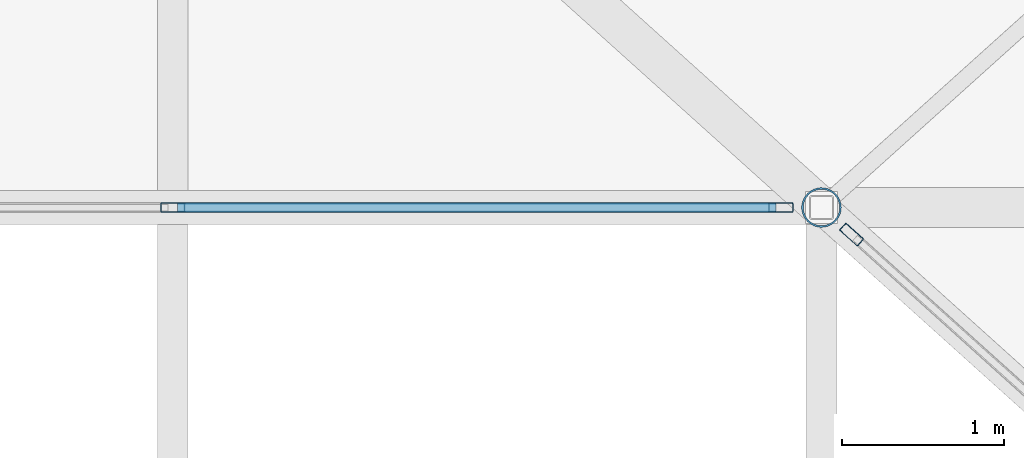
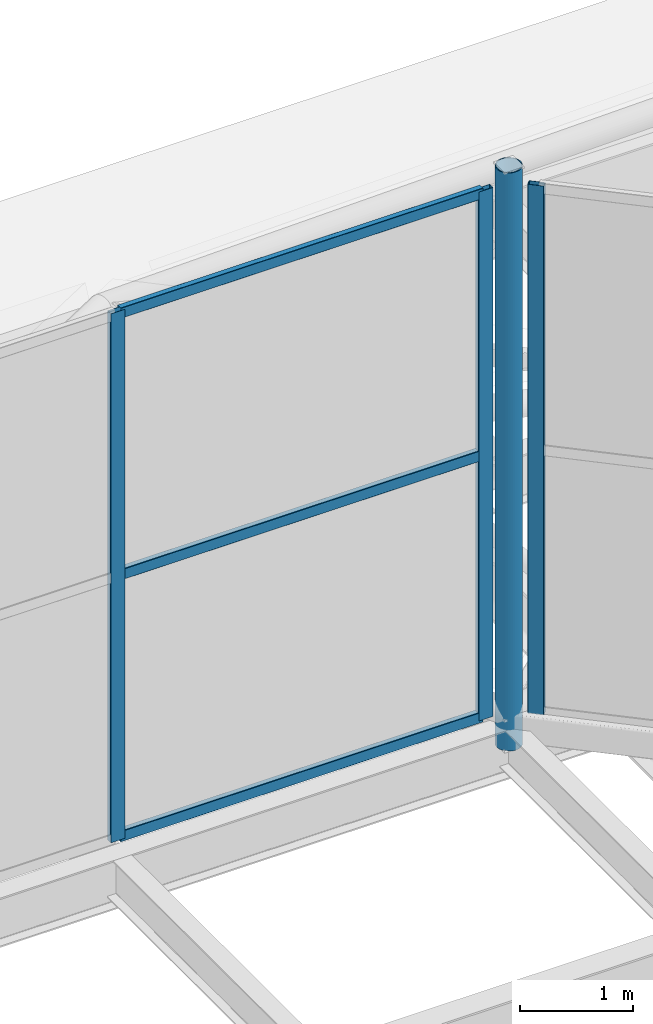
# One storey, part 125 of 239: 7 members, 2 elements without a shape of their own.
"""IFC4 building model written with IfcOpenShell, lengths in metres."""

from ifc_helpers import new_model, si_unit, direction, frame, origin, origin_2d, place, context, subcontext, project, spatial, hollow_rectangle, hollow_circle, extrude, material, layer, layer_set, material_profile, profile_set, type_object, element, aggregate, save


model = new_model("IFC4")

# Units and contexts
model_context = context("Model", 3, precision=1e-05, world=origin(), true_north=direction((0.0, 1.0)))
body_context = subcontext(model_context, "Body", "Model", "MODEL_VIEW")
ifc_project = project(units=[si_unit("LENGTHUNIT", "METRE"), si_unit("AREAUNIT", "SQUARE_METRE"), si_unit("VOLUMEUNIT", "CUBIC_METRE"), si_unit("PLANEANGLEUNIT", "RADIAN"), si_unit("MASSUNIT", "GRAM", prefix="KILO")], contexts=[model_context])

# Site, building, storey
site_placement = place(None, origin())
site = spatial("IfcSite", under=ifc_project, at=site_placement, CompositionType="ELEMENT")
building_placement = place(site_placement, origin())
building = spatial("IfcBuilding", under=site, at=building_placement, Name="Dunvalen Ferry Terminal", CompositionType="ELEMENT")
storey_placement = place(building_placement, frame((0.0, 0.0, 9.840087890625)))
storey = spatial("IfcBuildingStorey", under=building, at=storey_placement, Name="L02", CompositionType="ELEMENT", Elevation=9.840087890625)

# Curtain wall, member
ifc_material_1 = material(Name="Anodised marine aluminium and solar-control glazing", Category="aluminium")
ifc_layer_1 = layer(ifc_material_1, 0.179931640625, Name="Anodised marine aluminium and solar-control glazing")
ifc_layer_set_1 = layer_set([ifc_layer_1], Name="Anodised marine aluminium and solar-control glazing")
curtain_wall_type_1 = type_object("IfcCurtainWallType", Name="ENV-CW-SYS-06", PredefinedType="NOTDEFINED", material=ifc_layer_set_1)
curtain_wall_1_placement = place(storey_placement, origin())
curtain_wall_1 = element("IfcCurtainWall", 1, at=curtain_wall_1_placement, inside=storey, type_object=curtain_wall_type_1, Name="L02 Curtain Wall CW-HEX-32-SK-4", PredefinedType="NOTDEFINED")
ifc_material_2 = material(Name="Anodised marine aluminium EN AW-6063 T6", Category="aluminium")
ifc_material_profile_1 = material_profile(ifc_material_2, hollow_rectangle(XDim=0.06005859375, YDim=0.14990234375, WallThickness=0.00341796875, InnerFilletRadius=0.00341796875, OuterFilletRadius=0.007080078125, at=origin_2d()), Name="Anodised marine aluminium EN AW-6063 T6")
ifc_profile_set_1 = profile_set([ifc_material_profile_1], Name="Anodised marine aluminium EN AW-6063 T6")
member_type_1 = type_object("IfcMemberType", Name="ENV-CW-MUL-3", PredefinedType="MULLION", material=ifc_profile_set_1)
member_1_placement = place(storey_placement, frame((70.185791015625, 79.03271484375, 1.139892578125), z_axis=(0.0, 0.0, 1.0), x_axis=(-0.668953550894, -0.74330420875, 0.0)))
member_1 = element("IfcMember", 2, at=member_1_placement, type_object=member_type_1, Name="CW-06 mullion 2", PredefinedType="MULLION", context=body_context, shape_type="SweptSolid", body=[
    extrude(hollow_rectangle(XDim=0.06005859375, YDim=0.14990234375, WallThickness=0.00341796875, InnerFilletRadius=0.00341796875, OuterFilletRadius=0.007080078125, at=origin_2d()), origin(), (0.0, 0.0, 1.0), 5.699951171875),
])
aggregate(curtain_wall_1, [member_1])

# Curtain wall, members
ifc_layer_2 = layer(ifc_material_1, 0.179931640625, Name="Anodised marine aluminium and solar-control glazing")
ifc_layer_set_2 = layer_set([ifc_layer_2], Name="Anodised marine aluminium and solar-control glazing")
curtain_wall_type_2 = type_object("IfcCurtainWallType", Name="ENV-CW-SYS-05", PredefinedType="NOTDEFINED", material=ifc_layer_set_2)
curtain_wall_2_placement = place(storey_placement, origin())
curtain_wall_2 = element("IfcCurtainWall", 3, at=curtain_wall_2_placement, inside=storey, type_object=curtain_wall_type_2, Name="L02 Curtain Wall CW-HEX-32-SK-5", PredefinedType="NOTDEFINED")
member_2_placement = place(storey_placement, frame((69.75, 79.199951171875, 1.139892578125), z_axis=(0.0, 0.0, 1.0), x_axis=(0.0, -1.0, 0.0)))
member_2 = element("IfcMember", 4, at=member_2_placement, type_object=member_type_1, Name="CW-05 mullion 1", PredefinedType="MULLION", context=body_context, shape_type="SweptSolid", body=[
    extrude(hollow_rectangle(XDim=0.06005859375, YDim=0.14990234375, WallThickness=0.00341796875, InnerFilletRadius=0.00341796875, OuterFilletRadius=0.007080078125, at=origin_2d()), origin(), (0.0, 0.0, 1.0), 5.699951171875),
])
member_3_placement = place(storey_placement, frame((66.0, 79.199951171875, 1.139892578125), z_axis=(0.0, 0.0, 1.0), x_axis=(0.0, -1.0, 0.0)))
member_3 = element("IfcMember", 5, at=member_3_placement, type_object=member_type_1, Name="CW-05 mullion 2", PredefinedType="MULLION", context=body_context, shape_type="SweptSolid", body=[
    extrude(hollow_rectangle(XDim=0.06005859375, YDim=0.14990234375, WallThickness=0.00341796875, InnerFilletRadius=0.00341796875, OuterFilletRadius=0.007080078125, at=origin_2d()), origin(), (0.0, 0.0, 1.0), 5.699951171875),
])
ifc_material_profile_2 = material_profile(ifc_material_2, hollow_rectangle(XDim=0.06005859375, YDim=0.114990234375, WallThickness=0.0029296875, InnerFilletRadius=0.0029296875, OuterFilletRadius=0.006103515625, at=origin_2d()), Name="Anodised marine aluminium EN AW-6063 T6")
ifc_profile_set_2 = profile_set([ifc_material_profile_2], Name="Anodised marine aluminium EN AW-6063 T6")
member_type_2 = type_object("IfcMemberType", Name="ENV-CW-TRN-3", PredefinedType="USERDEFINED", material=ifc_profile_set_2)
member_4_placement = place(storey_placement, frame((69.719970703125, 79.199951171875, 1.169921875), z_axis=(-1.0, 0.0, 0.0), x_axis=(0.0, -1.0, 0.0)))
member_4 = element("IfcMember", 6, at=member_4_placement, type_object=member_type_2, Name="CW-05 transom 1.1", ObjectType="TRANSOM", PredefinedType="USERDEFINED", context=body_context, shape_type="SweptSolid", body=[
    extrude(hollow_rectangle(XDim=0.06005859375, YDim=0.114990234375, WallThickness=0.0029296875, InnerFilletRadius=0.0029296875, OuterFilletRadius=0.006103515625, at=origin_2d()), origin(), (0.0, 0.0, 1.0), 3.68994140625),
])
member_5_placement = place(storey_placement, frame((69.719970703125, 79.199951171875, 3.989990234375), z_axis=(-1.0, 0.0, 0.0), x_axis=(0.0, -1.0, 0.0)))
member_5 = element("IfcMember", 7, at=member_5_placement, type_object=member_type_2, Name="CW-05 transom 1.2", ObjectType="TRANSOM", PredefinedType="USERDEFINED", context=body_context, shape_type="SweptSolid", body=[
    extrude(hollow_rectangle(XDim=0.06005859375, YDim=0.114990234375, WallThickness=0.0029296875, InnerFilletRadius=0.0029296875, OuterFilletRadius=0.006103515625, at=origin_2d()), origin(), (0.0, 0.0, 1.0), 3.68994140625),
])
member_6_placement = place(storey_placement, frame((69.719970703125, 79.199951171875, 6.809814453125), z_axis=(-1.0, 0.0, 0.0), x_axis=(0.0, -1.0, 0.0)))
member_6 = element("IfcMember", 8, at=member_6_placement, type_object=member_type_2, Name="CW-05 transom 1.3", ObjectType="TRANSOM", PredefinedType="USERDEFINED", context=body_context, shape_type="SweptSolid", body=[
    extrude(hollow_rectangle(XDim=0.06005859375, YDim=0.114990234375, WallThickness=0.0029296875, InnerFilletRadius=0.0029296875, OuterFilletRadius=0.006103515625, at=origin_2d()), origin(), (0.0, 0.0, 1.0), 3.68994140625),
])
aggregate(curtain_wall_2, [member_2, member_3, member_4, member_5, member_6])

# Member
ifc_material_3 = material(Name="Steel S355", Category="steel")
ifc_material_profile_3 = material_profile(ifc_material_3, hollow_circle(Radius=0.122314453125, WallThickness=0.010009765625, at=origin_2d()), Name="Steel S355")
ifc_profile_set_3 = profile_set([ifc_material_profile_3], Name="Steel S355")
member_type_3 = type_object("IfcMemberType", Name="STR-MB-CHS244", PredefinedType="STRUT", material=ifc_profile_set_3)
member_7_placement = place(storey_placement, frame((70.0, 79.199951171875, 0.77001953125), z_axis=(0.0, 0.0, 1.0), x_axis=(1.0, 0.0, 0.0)))
element("IfcMember", 9, at=member_7_placement, inside=storey, type_object=member_type_3, Name="HEX-32 Skylight Lantern Corner Strut 5", PredefinedType="STRUT", context=body_context, shape_type="SweptSolid", body=[
    extrude(hollow_circle(Radius=0.122314453125, WallThickness=0.010009765625, at=origin_2d()), origin(), (0.0, 0.0, 1.0), 6.22998046875),
])

save(model, "model.ifc")
